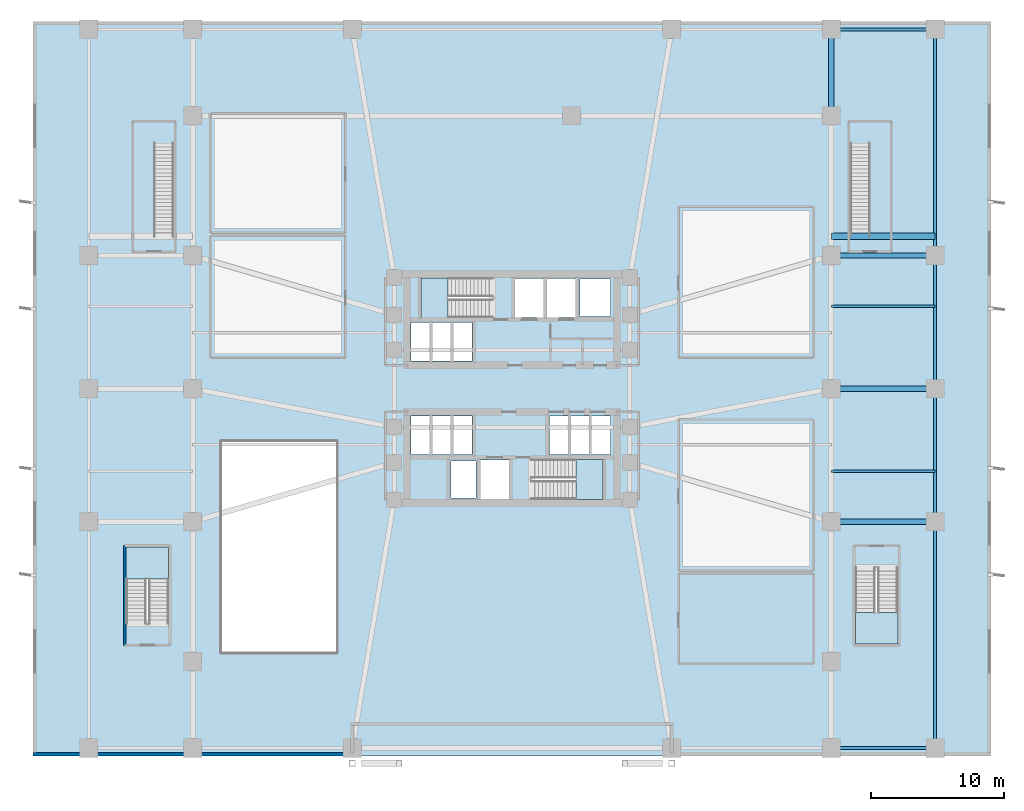
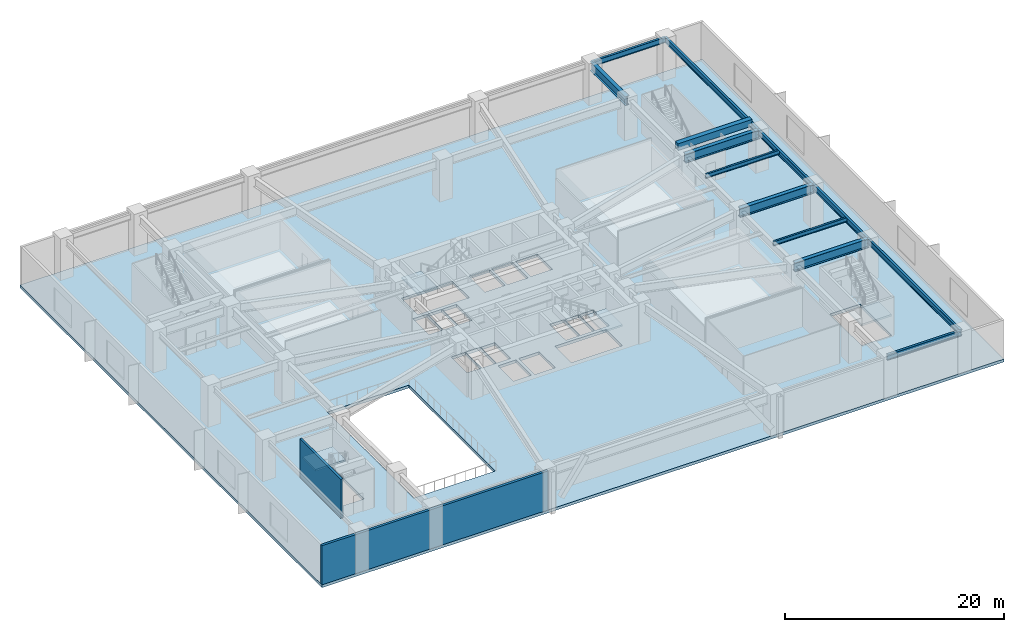
# One storey, part 3 of 12: 13 beams, 5 slabs, 2 walls, 4 elements without a shape of their own.
"""IFC4 building model written with IfcOpenShell, lengths in metres."""

import ifcopenshell
import ifcopenshell.guid

model = None  # the IFC model being written
_history = None  # IfcOwnerHistory: only IFC2X3 demands one
_inside = {}  # id of a spatial element -> (the spatial element, [elements in it])
_under = {}  # id of a project, library or spatial element -> (it, [spatial elements below it])
_declared = {}  # id of a project -> (the project, [libraries it declares])
_typed = {}  # id of a type object -> (the type object, [elements of that type])
_made_of = {}  # id of a material, layer set ... -> (it, [elements and type objects made of it])


def new_model(schema):
    """Start an empty IFC model of exactly this schema.

    Asked for "IFC4X3", IfcOpenShell would pick the latest addendum, in which some entities
    have other attributes; the version numbers below select the first issue.
    IFC2X3 requires an IfcOwnerHistory on every rooted entity: one is made here for all.
    """
    global model, _history
    if schema == "IFC4X3":
        model = ifcopenshell.file(schema_version=(4, 3, 0, 0))
    else:
        model = ifcopenshell.file(schema=schema)
    _inside.clear()
    _under.clear()
    _declared.clear()
    _typed.clear()
    _made_of.clear()
    _history = None
    if model.schema == "IFC2X3":
        org = make("IfcOrganization", Name="unknown")
        user = make(
            "IfcPersonAndOrganization",
            ThePerson=make("IfcPerson", FamilyName="unknown"),
            TheOrganization=org,
        )
        app = make(
            "IfcApplication",
            ApplicationDeveloper=org,
            Version="unknown",
            ApplicationFullName="unknown",
            ApplicationIdentifier="unknown",
        )
        _history = make(
            "IfcOwnerHistory",
            OwningUser=user,
            OwningApplication=app,
            ChangeAction="ADDED",
            CreationDate=0,
        )
    return model


def make(cls, **values):
    """One entity of the class cls with the attributes given. An attribute that is None is left unset."""
    return model.create_entity(
        cls, **{name: value for name, value in values.items() if value is not None}
    )


def rooted(cls, **values):
    """An entity with a GlobalId (a new one), such as an element, a storey or a relation."""
    return make(cls, GlobalId=ifcopenshell.guid.new(), OwnerHistory=_history, **values)


def si_unit(unit_type, name, prefix=None):
    """IfcSIUnit, for example si_unit("LENGTHUNIT", "METRE", prefix="MILLI")."""
    return make("IfcSIUnit", UnitType=unit_type, Prefix=prefix, Name=name)


def assignment(units):
    """IfcUnitAssignment: the units of a project."""
    return None if units is None else make("IfcUnitAssignment", Units=units)


def point(xyz):
    """IfcCartesianPoint."""
    return None if xyz is None else make("IfcCartesianPoint", Coordinates=xyz)


def direction(xyz):
    """IfcDirection."""
    return None if xyz is None else make("IfcDirection", DirectionRatios=xyz)


def frame(location, z_axis=None, x_axis=None):
    """IfcAxis2Placement3D, a coordinate frame: its origin and axes. An axis left out is left unset."""
    return make(
        "IfcAxis2Placement3D",
        Location=point(location),
        Axis=direction(z_axis),
        RefDirection=direction(x_axis),
    )


def frame_2d(location, x_axis=None):
    """IfcAxis2Placement2D, a coordinate frame in the plane: its origin and x axis."""
    return make(
        "IfcAxis2Placement2D", Location=point(location), RefDirection=direction(x_axis)
    )


def origin():
    """The frame at (0, 0, 0) with its axes left unset."""
    return frame((0.0, 0.0, 0.0))


def origin_2d():
    """The frame at (0, 0) in the plane with its x axis left unset."""
    return frame_2d((0.0, 0.0))


def place(relative_to, where):
    """IfcLocalPlacement: puts the frame where relative to a parent placement (None: the world)."""
    return make(
        "IfcLocalPlacement", PlacementRelTo=relative_to, RelativePlacement=where
    )


def context(
    kind, dimensions, precision=None, world=None, true_north=None, identifier=None
):
    """IfcGeometricRepresentationContext, for example the 3D "Model" context."""
    return make(
        "IfcGeometricRepresentationContext",
        ContextIdentifier=identifier,
        ContextType=kind,
        CoordinateSpaceDimension=dimensions,
        Precision=precision,
        WorldCoordinateSystem=world,
        TrueNorth=true_north,
    )


def subcontext(parent, identifier, kind, view, scale=None):
    """IfcGeometricRepresentationSubContext, for example "Body" below "Model"."""
    return make(
        "IfcGeometricRepresentationSubContext",
        ContextIdentifier=identifier,
        ContextType=kind,
        ParentContext=parent,
        TargetScale=scale,
        TargetView=view,
    )


def project(units=None, contexts=None):
    """IfcProject with its units and contexts."""
    return rooted(
        "IfcProject",
        Name="project",
        RepresentationContexts=contexts,
        UnitsInContext=assignment(units),
    )


def spatial(cls, under=None, at=None, **own):
    """A site, building, storey or space (cls), placed at a placement, below another one or the project."""
    s = rooted(cls, ObjectPlacement=at, **own)
    if under is not None:
        _under.setdefault(under.id(), (under, []))[1].append(s)
    return s


def polyline(points):
    """IfcPolyline through the points."""
    return make("IfcPolyline", Points=[point(p) for p in points])


def profile(cls, at=None, kind="AREA", **sizes):
    """A parametric profile (cls). Its sizes go by their IFC names, for example OverallWidth=200.0."""
    return make(cls, ProfileType=kind, Position=at, **sizes)


def rectangle(**sizes):
    """IfcRectangleProfileDef."""
    return profile("IfcRectangleProfileDef", **sizes)


def i_section(**sizes):
    """IfcIShapeProfileDef."""
    return profile("IfcIShapeProfileDef", **sizes)


def outline(outer, holes=None, kind="AREA"):
    """IfcArbitraryClosedProfileDef: a profile drawn as a closed curve; with holes, ...WithVoids."""
    if holes is None:
        return make("IfcArbitraryClosedProfileDef", ProfileType=kind, OuterCurve=outer)
    return make(
        "IfcArbitraryProfileDefWithVoids",
        ProfileType=kind,
        OuterCurve=outer,
        InnerCurves=holes,
    )


def extrude(swept, where, along, depth):
    """IfcExtrudedAreaSolid: the profile swept, set in the frame where, extruded along a direction by depth."""
    return make(
        "IfcExtrudedAreaSolid",
        SweptArea=swept,
        Position=where,
        ExtrudedDirection=direction(along),
        Depth=depth,
    )


def shape(context_of_items, identifier, shape_type, items):
    """IfcShapeRepresentation: the items that make up one representation, for example the "Body"."""
    return make(
        "IfcShapeRepresentation",
        ContextOfItems=context_of_items,
        RepresentationIdentifier=identifier,
        RepresentationType=shape_type,
        Items=items,
    )


def material(Name=None, Category=None):
    """IfcMaterial."""
    return make("IfcMaterial", Name=Name, Category=Category)


def layer(
    of_material, thickness, ventilated=None, Name=None, Category=None, Priority=None
):
    """IfcMaterialLayer: one layer of a wall or slab, of a material (None: an air gap)."""
    return make(
        "IfcMaterialLayer",
        Material=of_material,
        LayerThickness=thickness,
        IsVentilated=ventilated,
        Name=Name,
        Category=Category,
        Priority=Priority,
    )


def layer_set(layers, Name=None):
    """IfcMaterialLayerSet."""
    return make("IfcMaterialLayerSet", MaterialLayers=layers, LayerSetName=Name)


def material_profile(
    of_material, cross_section, Name=None, Category=None, Priority=None
):
    """IfcMaterialProfile: a cross section and its material."""
    return make(
        "IfcMaterialProfile",
        Name=Name,
        Material=of_material,
        Profile=cross_section,
        Priority=Priority,
        Category=Category,
    )


def profile_set(profiles, Name=None, composite=None):
    """IfcMaterialProfileSet."""
    return make(
        "IfcMaterialProfileSet",
        Name=Name,
        MaterialProfiles=profiles,
        CompositeProfile=composite,
    )


def made_of(thing, what):
    """Note that an element or type object is made of a material, layer set ...; save() writes the relation."""
    if what is not None:
        _made_of.setdefault(what.id(), (what, []))[1].append(thing)
    return thing


def type_object(cls, material=None, **own):
    """A type object (cls), such as IfcWallType, which elements share."""
    return made_of(rooted(cls, **own), material)


def element(
    cls,
    number,
    at=None,
    inside=None,
    cuts=None,
    type_object=None,
    material=None,
    context=None,
    identifier="Body",
    shape_type=None,
    held_by="IfcProductDefinitionShape",
    body=None,
    shapes=None,
    **own,
):
    """One element of the class cls, such as IfcWall. Its Tag is "e" and its number.

    at: its placement. inside: the storey or other place that contains it. cuts: it is an
    opening in that element (IfcRelVoidsElement). A single representation is given by context,
    identifier, shape_type and body (its items); several are given by shapes. held_by: the class
    of the entity that holds the representations. save() writes the other relations.
    """
    e = rooted(cls, Tag="e%d" % number, ObjectPlacement=at, **own)
    if body is not None:
        shapes = [shape(context, identifier, shape_type, body)]
    if shapes is not None:
        e.Representation = make(held_by, Representations=shapes)
    if inside is not None:
        _inside.setdefault(inside.id(), (inside, []))[1].append(e)
    if cuts is not None:
        rooted(
            "IfcRelVoidsElement", RelatingBuildingElement=cuts, RelatedOpeningElement=e
        )
    if type_object is not None:
        _typed.setdefault(type_object.id(), (type_object, []))[1].append(e)
    return made_of(e, material)


def aggregate(whole, parts):
    """IfcRelAggregates: a whole, such as a stair, and the parts it consists of."""
    return rooted("IfcRelAggregates", RelatingObject=whole, RelatedObjects=parts)


def save(model, path):
    """Write the relations noted so far, then the file.

    IfcRelAggregates (storeys below a building ...), IfcRelContainedInSpatialStructure (elements
    in a storey), IfcRelDefinesByType, IfcRelAssociatesMaterial and IfcRelDeclares: one each for
    every whole, place, type object, material and project.
    """
    for whole, parts in _under.values():
        aggregate(whole, parts)
    for where, things in _inside.values():
        rooted(
            "IfcRelContainedInSpatialStructure",
            RelatedElements=things,
            RelatingStructure=where,
        )
    for kind, things in _typed.values():
        rooted("IfcRelDefinesByType", RelatedObjects=things, RelatingType=kind)
    for what, things in _made_of.values():
        rooted("IfcRelAssociatesMaterial", RelatedObjects=things, RelatingMaterial=what)
    for by, libraries in _declared.values():
        rooted("IfcRelDeclares", RelatingContext=by, RelatedDefinitions=libraries)
    model.write(path)


model = new_model("IFC4")

# Units and contexts
model_context = context("Model", 3, precision=1e-05, world=origin(), true_north=direction((0.0, 1.0)))
body_context = subcontext(model_context, "Body", "Model", "MODEL_VIEW")
ifc_project = project(units=[si_unit("LENGTHUNIT", "METRE"), si_unit("AREAUNIT", "SQUARE_METRE"), si_unit("VOLUMEUNIT", "CUBIC_METRE"), si_unit("PLANEANGLEUNIT", "RADIAN"), si_unit("MASSUNIT", "GRAM", prefix="KILO")], contexts=[model_context])

# Site, building, storey
site_placement = place(None, origin())
site = spatial("IfcSite", under=ifc_project, at=site_placement, CompositionType="ELEMENT")
building_placement = place(site_placement, origin())
building = spatial("IfcBuilding", under=site, at=building_placement, Name="Solmarez Civic Tower", CompositionType="ELEMENT")
storey_placement = place(building_placement, frame((0.0, 0.0, 5.39990234375)))
storey = spatial("IfcBuildingStorey", under=building, at=storey_placement, Name="L01", CompositionType="ELEMENT", Elevation=5.39990234375)

# Beams
ifc_material_1 = material(Name="Steel S355", Category="steel")
ifc_material_profile_1 = material_profile(ifc_material_1, i_section(OverallWidth=0.19189453125, OverallDepth=0.462890625, WebThickness=0.010498046875, FlangeThickness=0.017578125, at=origin_2d()), Name="W18X60")
ifc_profile_set_1 = profile_set([ifc_material_profile_1], Name="Steel S355")
beam_type_1 = type_object("IfcBeamType", Name="BM-JS-W18X60", PredefinedType="JOIST", material=ifc_profile_set_1)
for number, where, z_axis, x_axis, name in (
    (1, (24.0, -6.199951171875, 4.128173828125), (1.0, 0.0, 0.0), (0.0, 1.0, 0.0), "L01 Secondary Floor Joist JS-L01-EE1"),
    (2, (24.0, 6.199951171875, 4.128173828125), (1.0, 0.0, 0.0), (0.0, 1.0, 0.0), "L01 Secondary Floor Joist JS-L01-EE2"),
):
    element("IfcBeam", number, at=place(storey_placement, frame(where, z_axis=z_axis, x_axis=x_axis)), inside=storey, type_object=beam_type_1, Name=name, PredefinedType="JOIST", context=body_context, shape_type="SweptSolid", body=[
        extrude(i_section(OverallWidth=0.19189453125, OverallDepth=0.462890625, WebThickness=0.010498046875, FlangeThickness=0.017578125, at=origin_2d()), origin(), (0.0, 0.0, 1.0), 7.800048828125),
    ])
ifc_material_2 = material(Name="Concrete C50/60", Category="concrete")
ifc_material_profile_2 = material_profile(ifc_material_2, rectangle(XDim=0.5, YDim=0.75, at=origin_2d()), Name="RC500X750")
ifc_profile_set_2 = profile_set([ifc_material_profile_2], Name="Concrete C50/60")
beam_type_2 = type_object("IfcBeamType", Name="BM-PR-RC500X750", PredefinedType="BEAM", material=ifc_profile_set_2)
beam_1_placement = place(storey_placement, frame((24.0, 11.449951171875, 4.31103515625), z_axis=(1.0, 0.0, 0.0), x_axis=(0.0, 1.0, 0.0)))
element("IfcBeam", 3, at=beam_1_placement, inside=storey, type_object=beam_type_2, Name="L01 Atrium Stair Bottom Threshold Beam P4", PredefinedType="BEAM", context=body_context, shape_type="SweptSolid", body=[
    extrude(rectangle(XDim=0.5, YDim=0.75, at=origin_2d()), origin(), (0.0, 0.0, 1.0), 7.800048828125),
])
ifc_material_profile_3 = material_profile(ifc_material_1, i_section(OverallWidth=0.39892578125, OverallDepth=0.98193359375, WebThickness=0.0166015625, FlangeThickness=0.027099609375, at=origin_2d()), Name="W40X199")
ifc_profile_set_3 = profile_set([ifc_material_profile_3], Name="Steel S355")
beam_type_3 = type_object("IfcBeamType", Name="BM-PR-W40X199", PredefinedType="BEAM", material=ifc_profile_set_3)
beam_2_placement = place(storey_placement, frame((24.0, 20.5, 3.869140625), z_axis=(0.0, 1.0, 0.0), x_axis=(-1.0, 0.0, 0.0)))
element("IfcBeam", 4, at=beam_2_placement, inside=storey, type_object=beam_type_3, Name="L01 Primary Floor Beam BM-L01-PC30-PC11", PredefinedType="BEAM", context=body_context, shape_type="SweptSolid", body=[
    extrude(i_section(OverallWidth=0.39892578125, OverallDepth=0.98193359375, WebThickness=0.0166015625, FlangeThickness=0.027099609375, at=origin_2d()), origin(), (0.0, 0.0, 1.0), 6.5),
])
for number, where, z_axis, x_axis, name in (
    (5, (31.800048828125, -10.0, 3.869140625), (-1.0, 0.0, 0.0), (0.0, -1.0, 0.0), "L01 Primary Floor Beam BM-L01-PC16-PC22"),
    (6, (31.800048828125, 0.0, 3.869140625), (-1.0, 0.0, 0.0), (0.0, -1.0, 0.0), "L01 Primary Floor Beam BM-L01-PC17-PC23"),
    (7, (31.800048828125, 10.0, 3.869140625), (-1.0, 0.0, 0.0), (0.0, -1.0, 0.0), "L01 Primary Floor Beam BM-L01-PC18-PC24"),
):
    element("IfcBeam", number, at=place(storey_placement, frame(where, z_axis=z_axis, x_axis=x_axis)), inside=storey, type_object=beam_type_3, Name=name, PredefinedType="BEAM", context=body_context, shape_type="SweptSolid", body=[
        extrude(i_section(OverallWidth=0.39892578125, OverallDepth=0.98193359375, WebThickness=0.0166015625, FlangeThickness=0.027099609375, at=origin_2d()), origin(), (0.0, 0.0, 1.0), 7.800048828125),
    ])
ifc_material_profile_4 = material_profile(ifc_material_1, i_section(OverallWidth=0.22900390625, OverallDepth=0.612060546875, WebThickness=0.011962890625, FlangeThickness=0.01953125, at=origin_2d()), Name="W24X84")
ifc_profile_set_4 = profile_set([ifc_material_profile_4], Name="Steel S355")
beam_type_4 = type_object("IfcBeamType", Name="BM-SP-W24X84", PredefinedType="SPANDREL", material=ifc_profile_set_4)
for number, where, z_axis, x_axis, name in (
    (8, (24.0, -27.0, 4.05419921875), (1.0, 0.0, 0.0), (0.0, 1.0, 0.0), "L01 Perimeter Spandrel Beam BM-L01-PC05-PC06"),
    (9, (24.0, 27.0, 4.05419921875), (1.0, 0.0, 0.0), (0.0, 1.0, 0.0), "L01 Perimeter Spandrel Beam BM-L01-PC11-PC12"),
):
    element("IfcBeam", number, at=place(storey_placement, frame(where, z_axis=z_axis, x_axis=x_axis)), inside=storey, type_object=beam_type_4, Name=name, PredefinedType="SPANDREL", context=body_context, shape_type="SweptSolid", body=[
        extrude(i_section(OverallWidth=0.22900390625, OverallDepth=0.612060546875, WebThickness=0.011962890625, FlangeThickness=0.01953125, at=origin_2d()), origin(), (0.0, 0.0, 1.0), 7.800048828125),
    ])
beam_3_placement = place(storey_placement, frame((31.800048828125, -27.0, 4.05419921875), z_axis=(0.0, 1.0, 0.0), x_axis=(-1.0, 0.0, 0.0)))
element("IfcBeam", 10, at=beam_3_placement, inside=storey, type_object=beam_type_4, Name="L01 Perimeter Spandrel Beam BM-L01-PC06-PC16", PredefinedType="SPANDREL", context=body_context, shape_type="SweptSolid", body=[
    extrude(i_section(OverallWidth=0.22900390625, OverallDepth=0.612060546875, WebThickness=0.011962890625, FlangeThickness=0.01953125, at=origin_2d()), origin(), (0.0, 0.0, 1.0), 17.0),
])
for number, where, z_axis, x_axis, name in (
    (11, (31.800048828125, -10.0, 4.05419921875), (0.0, 1.0, 0.0), (-1.0, 0.0, 0.0), "L01 Perimeter Spandrel Beam BM-L01-PC16-PC17"),
    (12, (31.800048828125, 0.0, 4.05419921875), (0.0, 1.0, 0.0), (-1.0, 0.0, 0.0), "L01 Perimeter Spandrel Beam BM-L01-PC17-PC18"),
):
    element("IfcBeam", number, at=place(storey_placement, frame(where, z_axis=z_axis, x_axis=x_axis)), inside=storey, type_object=beam_type_4, Name=name, PredefinedType="SPANDREL", context=body_context, shape_type="SweptSolid", body=[
        extrude(i_section(OverallWidth=0.22900390625, OverallDepth=0.612060546875, WebThickness=0.011962890625, FlangeThickness=0.01953125, at=origin_2d()), origin(), (0.0, 0.0, 1.0), 10.0),
    ])
beam_4_placement = place(storey_placement, frame((31.800048828125, 10.0, 4.05419921875), z_axis=(0.0, 1.0, 0.0), x_axis=(-1.0, 0.0, 0.0)))
element("IfcBeam", 13, at=beam_4_placement, inside=storey, type_object=beam_type_4, Name="L01 Perimeter Spandrel Beam BM-L01-PC18-PC12", PredefinedType="SPANDREL", context=body_context, shape_type="SweptSolid", body=[
    extrude(i_section(OverallWidth=0.22900390625, OverallDepth=0.612060546875, WebThickness=0.011962890625, FlangeThickness=0.01953125, at=origin_2d()), origin(), (0.0, 0.0, 1.0), 17.0),
])

# Stair, slab
stair_type_1 = type_object("IfcStairType", Name="STAIR-DOGLEG-140W-26R-1800", PredefinedType="HALF_TURN_STAIR", material=ifc_material_2)
stair_1_placement = place(storey_placement, origin())
stair_1 = element("IfcStair", 14, at=stair_1_placement, inside=storey, type_object=stair_type_1, Name="L01 North Core Protected Exit Stair ST-1", PredefinedType="HALF_TURN_STAIR")
ifc_layer_1 = layer(ifc_material_2, 0.199951171875)
ifc_layer_set_1 = layer_set([ifc_layer_1], Name="Concrete C50/60")
slab_type_1 = type_object("IfcSlabType", Name="SLAB-LANDING-200", PredefinedType="LANDING", material=ifc_layer_set_1)
slab_1_placement = place(storey_placement, frame((0.0, 0.0, 2.14013671875)))
slab_1 = element("IfcSlab", 15, at=slab_1_placement, type_object=slab_type_1, Name="ST-1 landing 1", PredefinedType="LANDING", context=body_context, shape_type="SweptSolid", body=[
    extrude(outline(polyline([(-4.81005859375, 8.320068359375), (-6.85009765625, 8.320068359375), (-6.85009765625, 5.320068359375), (-4.81005859375, 5.320068359375), (-4.81005859375, 8.320068359375)])), origin(), (0.0, 0.0, 1.0), 0.199951171875),
])
aggregate(stair_1, [slab_1])

stair_2_placement = place(storey_placement, origin())
stair_2 = element("IfcStair", 16, at=stair_2_placement, inside=storey, type_object=stair_type_1, Name="L01 South Core Protected Exit Stair ST-2", PredefinedType="HALF_TURN_STAIR")
slab_2_placement = place(storey_placement, frame((0.0, 0.0, 2.14013671875)))
slab_2 = element("IfcSlab", 17, at=slab_2_placement, type_object=slab_type_1, Name="ST-2 landing 1", PredefinedType="LANDING", context=body_context, shape_type="SweptSolid", body=[
    extrude(outline(polyline([(4.81005859375, -8.320068359375), (6.85009765625, -8.320068359375), (6.85009765625, -5.320068359375), (4.81005859375, -5.320068359375), (4.81005859375, -8.320068359375)])), origin(), (0.0, 0.0, 1.0), 0.199951171875),
])
aggregate(stair_2, [slab_2])

stair_type_2 = type_object("IfcStairType", Name="STAIR-DOGLEG-150W-26R-1800", PredefinedType="HALF_TURN_STAIR", material=ifc_material_2)
stair_3_placement = place(storey_placement, origin())
stair_3 = element("IfcStair", 18, at=stair_3_placement, inside=storey, type_object=stair_type_2, Name="L01 West Podium Exit Stair ST-P1", PredefinedType="HALF_TURN_STAIR")
slab_3_placement = place(storey_placement, frame((0.0, 0.0, 2.14013671875)))
slab_3 = element("IfcSlab", 19, at=slab_3_placement, type_object=slab_type_1, Name="ST-P1 landing 1", PredefinedType="LANDING", context=body_context, shape_type="SweptSolid", body=[
    extrude(outline(polyline([(-25.800048828125, -14.2900390625), (-25.800048828125, -11.89990234375), (-29.0, -11.89990234375), (-29.0, -14.2900390625), (-25.800048828125, -14.2900390625)])), origin(), (0.0, 0.0, 1.0), 0.199951171875),
])
aggregate(stair_3, [slab_3])

stair_4_placement = place(storey_placement, origin())
stair_4 = element("IfcStair", 20, at=stair_4_placement, inside=storey, type_object=stair_type_2, Name="L01 East Podium Exit Stair ST-P2", PredefinedType="HALF_TURN_STAIR")
slab_4_placement = place(storey_placement, frame((0.0, 0.0, 2.14013671875)))
slab_4 = element("IfcSlab", 21, at=slab_4_placement, type_object=slab_type_1, Name="ST-P2 landing 1", PredefinedType="LANDING", context=body_context, shape_type="SweptSolid", body=[
    extrude(outline(polyline([(25.800048828125, -16.81005859375), (25.800048828125, -19.199951171875), (29.0, -19.199951171875), (29.0, -16.81005859375), (25.800048828125, -16.81005859375)])), origin(), (0.0, 0.0, 1.0), 0.199951171875),
])
aggregate(stair_4, [slab_4])

# Slab
ifc_layer_2 = layer(ifc_material_2, 0.320068359375)
ifc_layer_set_2 = layer_set([ifc_layer_2], Name="Concrete C50/60")
slab_type_2 = type_object("IfcSlabType", Name="SLAB-POD-320", PredefinedType="FLOOR", material=ifc_layer_set_2)
slab_5_placement = place(storey_placement, frame((0.0, 0.0, -0.31982421875)))
element("IfcSlab", 22, at=slab_5_placement, inside=storey, type_object=slab_type_2, Name="L01 Structural Slab", PredefinedType="FLOOR", context=body_context, shape_type="SweptSolid", body=[
    extrude(outline(polyline([(36.0, -27.60009765625), (36.0, 27.60009765625), (-36.0, 27.60009765625), (-36.0, -27.60009765625), (36.0, -27.60009765625)]), holes=[polyline([(-1.449951171875, 8.320068359375), (-6.85009765625, 8.320068359375), (-6.85009765625, 5.320068359375), (-1.449951171875, 5.320068359375), (-1.449951171875, 8.320068359375)]), polyline([(1.449951171875, -8.320068359375), (6.85009765625, -8.320068359375), (6.85009765625, -5.320068359375), (1.449951171875, -5.320068359375), (1.449951171875, -8.320068359375)]), polyline([(-25.800048828125, -17.64990234375), (-25.800048828125, -11.89990234375), (-29.0, -11.89990234375), (-29.0, -17.64990234375), (-25.800048828125, -17.64990234375)]), polyline([(25.800048828125, -13.449951171875), (25.800048828125, -19.199951171875), (29.0, -19.199951171875), (29.0, -13.449951171875), (25.800048828125, -13.449951171875)]), polyline([(0.219970703125, 5.360107421875), (2.3798828125, 5.360107421875), (2.3798828125, 8.280029296875), (0.219970703125, 8.280029296875), (0.219970703125, 5.360107421875)]), polyline([(2.6201171875, 5.360107421875), (4.780029296875, 5.360107421875), (4.780029296875, 8.280029296875), (2.6201171875, 8.280029296875), (2.6201171875, 5.360107421875)]), polyline([(-2.3798828125, -8.280029296875), (-0.219970703125, -8.280029296875), (-0.219970703125, -5.360107421875), (-2.3798828125, -5.360107421875), (-2.3798828125, -8.280029296875)]), polyline([(2.800048828125, -4.9599609375), (4.280029296875, -4.9599609375), (4.280029296875, -2.06005859375), (2.800048828125, -2.06005859375), (2.800048828125, -4.9599609375)]), polyline([(4.360107421875, -4.9599609375), (5.840087890625, -4.9599609375), (5.840087890625, -2.06005859375), (4.360107421875, -2.06005859375), (4.360107421875, -4.9599609375)]), polyline([(5.919921875, -4.9599609375), (7.39990234375, -4.9599609375), (7.39990234375, -2.06005859375), (5.919921875, -2.06005859375), (5.919921875, -4.9599609375)]), polyline([(-7.60009765625, -4.9599609375), (-6.1201171875, -4.9599609375), (-6.1201171875, -2.06005859375), (-7.60009765625, -2.06005859375), (-7.60009765625, -4.9599609375)]), polyline([(-6.0400390625, -4.9599609375), (-4.56005859375, -4.9599609375), (-4.56005859375, -2.06005859375), (-6.0400390625, -2.06005859375), (-6.0400390625, -4.9599609375)]), polyline([(-4.47998046875, -4.9599609375), (-3.0, -4.9599609375), (-3.0, -2.06005859375), (-4.47998046875, -2.06005859375), (-4.47998046875, -4.9599609375)]), polyline([(-7.60009765625, 2.06005859375), (-6.1201171875, 2.06005859375), (-6.1201171875, 4.9599609375), (-7.60009765625, 4.9599609375), (-7.60009765625, 2.06005859375)]), polyline([(-6.0400390625, 2.06005859375), (-4.56005859375, 2.06005859375), (-4.56005859375, 4.9599609375), (-6.0400390625, 4.9599609375), (-6.0400390625, 2.06005859375)]), polyline([(-4.47998046875, 2.06005859375), (-3.0, 2.06005859375), (-3.0, 4.9599609375), (-4.47998046875, 4.9599609375), (-4.47998046875, 2.06005859375)]), polyline([(5.10009765625, 5.419921875), (7.39990234375, 5.419921875), (7.39990234375, 8.219970703125), (5.10009765625, 8.219970703125), (5.10009765625, 5.419921875)]), polyline([(-4.60009765625, -8.219970703125), (-2.699951171875, -8.219970703125), (-2.699951171875, -5.419921875), (-4.60009765625, -5.419921875), (-4.60009765625, -8.219970703125)]), polyline([(-21.800048828125, -19.800048828125), (-13.199951171875, -19.800048828125), (-13.199951171875, -4.0), (-21.800048828125, -4.0), (-21.800048828125, -19.800048828125)])]), origin(), (0.0, 0.0, 1.0), 0.31982421875),
])

# Walls
ifc_material_3 = material(Name="Precast concrete C40/50", Category="concrete")
ifc_layer_3 = layer(ifc_material_3, 0.260009765625)
ifc_layer_set_3 = layer_set([ifc_layer_3], Name="Precast concrete C40/50")
wall_type_1 = type_object("IfcWallType", Name="WALL-EXT-260", PredefinedType="SOLIDWALL", material=ifc_layer_set_3)
wall_1_placement = place(storey_placement, frame((-12.1298828125, -27.469970703125, 0.0), z_axis=(0.0, 0.0, 1.0), x_axis=(-1.0, 0.0, 0.0)))
element("IfcWall", 23, at=wall_1_placement, inside=storey, type_object=wall_type_1, Name="L01 South Arch Podium Wall EW-SW-L01", PredefinedType="SOLIDWALL", context=body_context, shape_type="SweptSolid", body=[
    extrude(rectangle(XDim=23.8701171875, YDim=0.260009765625, at=frame_2d((11.93505859375, 0.0))), origin(), (0.0, 0.0, 1.0), 4.360107421875),
])
ifc_layer_4 = layer(ifc_material_2, 0.300048828125)
ifc_layer_set_4 = layer_set([ifc_layer_4], Name="Concrete C50/60")
wall_type_2 = type_object("IfcWallType", Name="WALL-STR-300", PredefinedType="SOLIDWALL", material=ifc_layer_set_4)
wall_2_placement = place(storey_placement, frame((-29.10009765625, -19.300048828125, 0.0), z_axis=(0.0, 0.0, 1.0), x_axis=(0.0, 1.0, 0.0)))
element("IfcWall", 24, at=wall_2_placement, inside=storey, type_object=wall_type_2, Name="L01 Podium Stair Structural Wall STP1-W", PredefinedType="SOLIDWALL", context=body_context, shape_type="SweptSolid", body=[
    extrude(rectangle(XDim=7.5, YDim=0.219970703125, at=frame_2d((3.75, 0.0))), origin(), (0.0, 0.0, 1.0), 4.360107421875),
])

save(model, "model.ifc")
